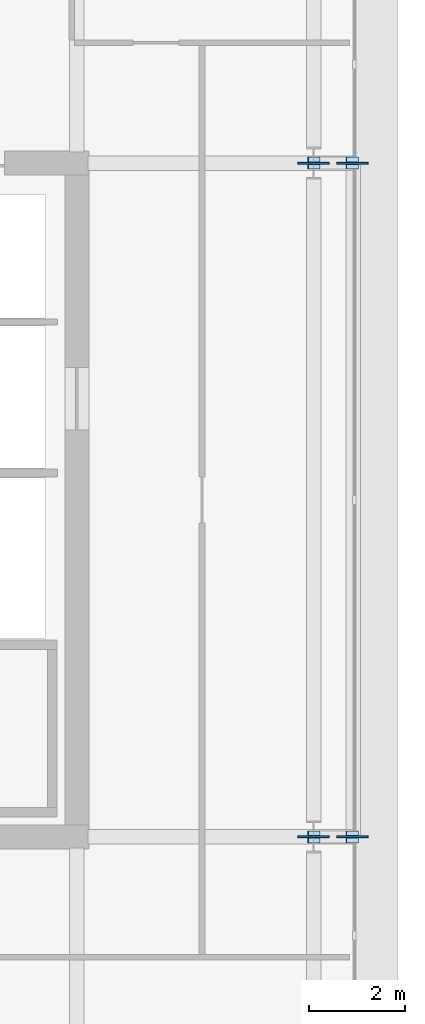
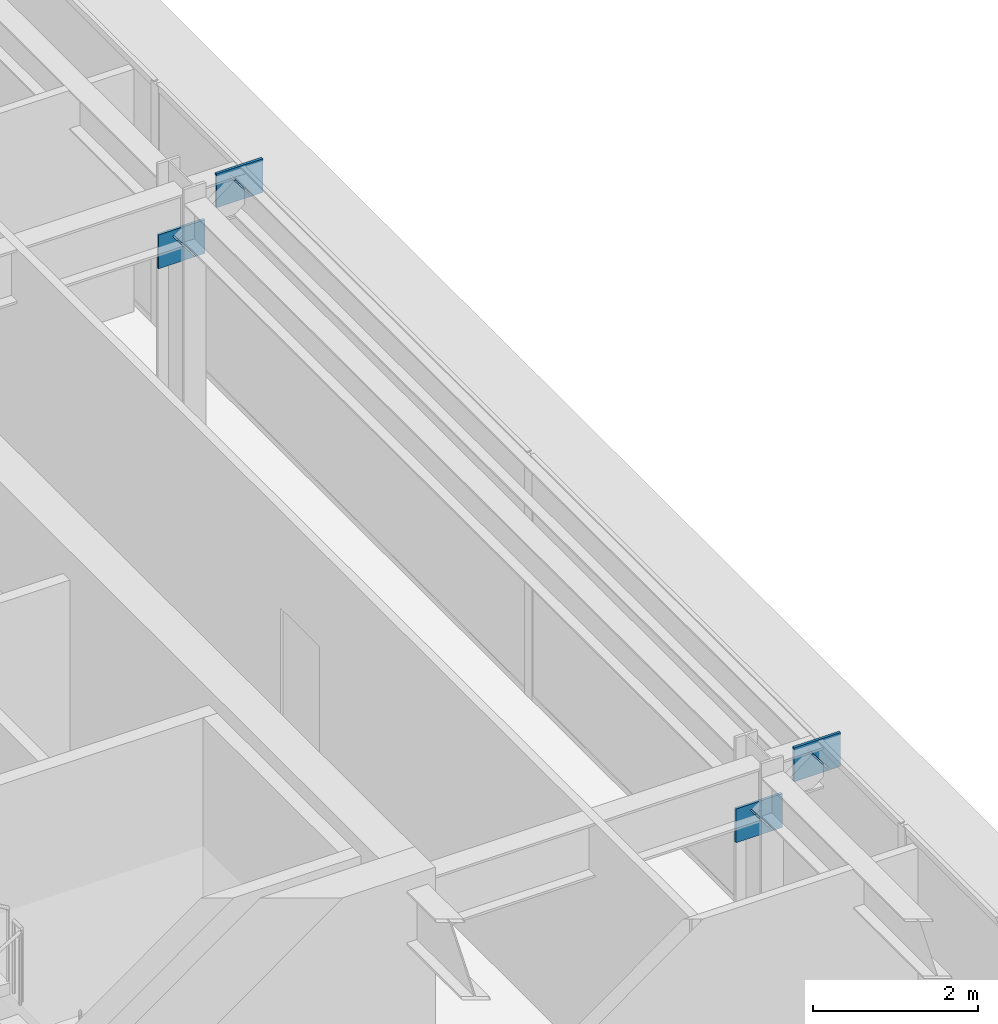
# One storey, part 11 of 19: 8 plates.
"""IFC4 building model written with IfcOpenShell, lengths in metres."""

import ifcopenshell
import ifcopenshell.guid

model = None  # the IFC model being written
_history = None  # IfcOwnerHistory: only IFC2X3 demands one
_inside = {}  # id of a spatial element -> (the spatial element, [elements in it])
_under = {}  # id of a project, library or spatial element -> (it, [spatial elements below it])
_declared = {}  # id of a project -> (the project, [libraries it declares])
_typed = {}  # id of a type object -> (the type object, [elements of that type])
_made_of = {}  # id of a material, layer set ... -> (it, [elements and type objects made of it])


def new_model(schema):
    """Start an empty IFC model of exactly this schema.

    Asked for "IFC4X3", IfcOpenShell would pick the latest addendum, in which some entities
    have other attributes; the version numbers below select the first issue.
    IFC2X3 requires an IfcOwnerHistory on every rooted entity: one is made here for all.
    """
    global model, _history
    if schema == "IFC4X3":
        model = ifcopenshell.file(schema_version=(4, 3, 0, 0))
    else:
        model = ifcopenshell.file(schema=schema)
    _inside.clear()
    _under.clear()
    _declared.clear()
    _typed.clear()
    _made_of.clear()
    _history = None
    if model.schema == "IFC2X3":
        org = make("IfcOrganization", Name="unknown")
        user = make(
            "IfcPersonAndOrganization",
            ThePerson=make("IfcPerson", FamilyName="unknown"),
            TheOrganization=org,
        )
        app = make(
            "IfcApplication",
            ApplicationDeveloper=org,
            Version="unknown",
            ApplicationFullName="unknown",
            ApplicationIdentifier="unknown",
        )
        _history = make(
            "IfcOwnerHistory",
            OwningUser=user,
            OwningApplication=app,
            ChangeAction="ADDED",
            CreationDate=0,
        )
    return model


def make(cls, **values):
    """One entity of the class cls with the attributes given. An attribute that is None is left unset."""
    return model.create_entity(
        cls, **{name: value for name, value in values.items() if value is not None}
    )


def rooted(cls, **values):
    """An entity with a GlobalId (a new one), such as an element, a storey or a relation."""
    return make(cls, GlobalId=ifcopenshell.guid.new(), OwnerHistory=_history, **values)


def si_unit(unit_type, name, prefix=None):
    """IfcSIUnit, for example si_unit("LENGTHUNIT", "METRE", prefix="MILLI")."""
    return make("IfcSIUnit", UnitType=unit_type, Prefix=prefix, Name=name)


def assignment(units):
    """IfcUnitAssignment: the units of a project."""
    return None if units is None else make("IfcUnitAssignment", Units=units)


def point(xyz):
    """IfcCartesianPoint."""
    return None if xyz is None else make("IfcCartesianPoint", Coordinates=xyz)


def direction(xyz):
    """IfcDirection."""
    return None if xyz is None else make("IfcDirection", DirectionRatios=xyz)


def frame(location, z_axis=None, x_axis=None):
    """IfcAxis2Placement3D, a coordinate frame: its origin and axes. An axis left out is left unset."""
    return make(
        "IfcAxis2Placement3D",
        Location=point(location),
        Axis=direction(z_axis),
        RefDirection=direction(x_axis),
    )


def frame_2d(location, x_axis=None):
    """IfcAxis2Placement2D, a coordinate frame in the plane: its origin and x axis."""
    return make(
        "IfcAxis2Placement2D", Location=point(location), RefDirection=direction(x_axis)
    )


def origin():
    """The frame at (0, 0, 0) with its axes left unset."""
    return frame((0.0, 0.0, 0.0))


def origin_2d():
    """The frame at (0, 0) in the plane with its x axis left unset."""
    return frame_2d((0.0, 0.0))


def place(relative_to, where):
    """IfcLocalPlacement: puts the frame where relative to a parent placement (None: the world)."""
    return make(
        "IfcLocalPlacement", PlacementRelTo=relative_to, RelativePlacement=where
    )


def context(
    kind, dimensions, precision=None, world=None, true_north=None, identifier=None
):
    """IfcGeometricRepresentationContext, for example the 3D "Model" context."""
    return make(
        "IfcGeometricRepresentationContext",
        ContextIdentifier=identifier,
        ContextType=kind,
        CoordinateSpaceDimension=dimensions,
        Precision=precision,
        WorldCoordinateSystem=world,
        TrueNorth=true_north,
    )


def subcontext(parent, identifier, kind, view, scale=None):
    """IfcGeometricRepresentationSubContext, for example "Body" below "Model"."""
    return make(
        "IfcGeometricRepresentationSubContext",
        ContextIdentifier=identifier,
        ContextType=kind,
        ParentContext=parent,
        TargetScale=scale,
        TargetView=view,
    )


def project(units=None, contexts=None):
    """IfcProject with its units and contexts."""
    return rooted(
        "IfcProject",
        Name="project",
        RepresentationContexts=contexts,
        UnitsInContext=assignment(units),
    )


def spatial(cls, under=None, at=None, **own):
    """A site, building, storey or space (cls), placed at a placement, below another one or the project."""
    s = rooted(cls, ObjectPlacement=at, **own)
    if under is not None:
        _under.setdefault(under.id(), (under, []))[1].append(s)
    return s


def profile(cls, at=None, kind="AREA", **sizes):
    """A parametric profile (cls). Its sizes go by their IFC names, for example OverallWidth=200.0."""
    return make(cls, ProfileType=kind, Position=at, **sizes)


def rectangle(**sizes):
    """IfcRectangleProfileDef."""
    return profile("IfcRectangleProfileDef", **sizes)


def extrude(swept, where, along, depth):
    """IfcExtrudedAreaSolid: the profile swept, set in the frame where, extruded along a direction by depth."""
    return make(
        "IfcExtrudedAreaSolid",
        SweptArea=swept,
        Position=where,
        ExtrudedDirection=direction(along),
        Depth=depth,
    )


def shape(context_of_items, identifier, shape_type, items):
    """IfcShapeRepresentation: the items that make up one representation, for example the "Body"."""
    return make(
        "IfcShapeRepresentation",
        ContextOfItems=context_of_items,
        RepresentationIdentifier=identifier,
        RepresentationType=shape_type,
        Items=items,
    )


def material(Name=None, Category=None):
    """IfcMaterial."""
    return make("IfcMaterial", Name=Name, Category=Category)


def layer(
    of_material, thickness, ventilated=None, Name=None, Category=None, Priority=None
):
    """IfcMaterialLayer: one layer of a wall or slab, of a material (None: an air gap)."""
    return make(
        "IfcMaterialLayer",
        Material=of_material,
        LayerThickness=thickness,
        IsVentilated=ventilated,
        Name=Name,
        Category=Category,
        Priority=Priority,
    )


def layer_set(layers, Name=None):
    """IfcMaterialLayerSet."""
    return make("IfcMaterialLayerSet", MaterialLayers=layers, LayerSetName=Name)


def made_of(thing, what):
    """Note that an element or type object is made of a material, layer set ...; save() writes the relation."""
    if what is not None:
        _made_of.setdefault(what.id(), (what, []))[1].append(thing)
    return thing


def type_object(cls, material=None, **own):
    """A type object (cls), such as IfcWallType, which elements share."""
    return made_of(rooted(cls, **own), material)


def element(
    cls,
    number,
    at=None,
    inside=None,
    cuts=None,
    type_object=None,
    material=None,
    context=None,
    identifier="Body",
    shape_type=None,
    held_by="IfcProductDefinitionShape",
    body=None,
    shapes=None,
    **own,
):
    """One element of the class cls, such as IfcWall. Its Tag is "e" and its number.

    at: its placement. inside: the storey or other place that contains it. cuts: it is an
    opening in that element (IfcRelVoidsElement). A single representation is given by context,
    identifier, shape_type and body (its items); several are given by shapes. held_by: the class
    of the entity that holds the representations. save() writes the other relations.
    """
    e = rooted(cls, Tag="e%d" % number, ObjectPlacement=at, **own)
    if body is not None:
        shapes = [shape(context, identifier, shape_type, body)]
    if shapes is not None:
        e.Representation = make(held_by, Representations=shapes)
    if inside is not None:
        _inside.setdefault(inside.id(), (inside, []))[1].append(e)
    if cuts is not None:
        rooted(
            "IfcRelVoidsElement", RelatingBuildingElement=cuts, RelatedOpeningElement=e
        )
    if type_object is not None:
        _typed.setdefault(type_object.id(), (type_object, []))[1].append(e)
    return made_of(e, material)


def aggregate(whole, parts):
    """IfcRelAggregates: a whole, such as a stair, and the parts it consists of."""
    return rooted("IfcRelAggregates", RelatingObject=whole, RelatedObjects=parts)


def save(model, path):
    """Write the relations noted so far, then the file.

    IfcRelAggregates (storeys below a building ...), IfcRelContainedInSpatialStructure (elements
    in a storey), IfcRelDefinesByType, IfcRelAssociatesMaterial and IfcRelDeclares: one each for
    every whole, place, type object, material and project.
    """
    for whole, parts in _under.values():
        aggregate(whole, parts)
    for where, things in _inside.values():
        rooted(
            "IfcRelContainedInSpatialStructure",
            RelatedElements=things,
            RelatingStructure=where,
        )
    for kind, things in _typed.values():
        rooted("IfcRelDefinesByType", RelatedObjects=things, RelatingType=kind)
    for what, things in _made_of.values():
        rooted("IfcRelAssociatesMaterial", RelatedObjects=things, RelatingMaterial=what)
    for by, libraries in _declared.values():
        rooted("IfcRelDeclares", RelatingContext=by, RelatedDefinitions=libraries)
    model.write(path)


model = new_model("IFC4")

# Units and contexts
model_context = context("Model", 3, precision=1e-05, world=origin(), true_north=direction((0.0, 1.0)))
body_context = subcontext(model_context, "Body", "Model", "MODEL_VIEW")
ifc_project = project(units=[si_unit("LENGTHUNIT", "METRE"), si_unit("AREAUNIT", "SQUARE_METRE"), si_unit("VOLUMEUNIT", "CUBIC_METRE"), si_unit("PLANEANGLEUNIT", "RADIAN"), si_unit("MASSUNIT", "GRAM", prefix="KILO")], contexts=[model_context])

# Site, building, storey
site_placement = place(None, origin())
site = spatial("IfcSite", under=ifc_project, at=site_placement, CompositionType="ELEMENT")
building_placement = place(site_placement, origin())
building = spatial("IfcBuilding", under=site, at=building_placement, Name="Putna Gate Headquarters", CompositionType="ELEMENT")
storey_placement = place(building_placement, frame((0.0, 0.0, 259.39990234375)))
storey = spatial("IfcBuildingStorey", under=building, at=storey_placement, Name="L65", CompositionType="ELEMENT", Elevation=259.39990234375)

# Plates
ifc_material_1 = material(Name="Steel S355J2", Category="steel")
ifc_layer_1 = layer(ifc_material_1, 0.02001953125)
ifc_layer_set_1 = layer_set([ifc_layer_1], Name="Steel S355J2")
plate_type_1 = type_object("IfcPlateType", Name="PLT-CAP-EC-R400", PredefinedType="SHEET", material=ifc_layer_set_1)
for number, where, z_axis, x_axis, name in (
    (1, (69.9150390625, 19.0, 2.75), (0.792623989105, 0.0, 0.60971076085), (0.0, 1.0, 0.0), "L65 East Sail Cantilever Raker Y19 End Cap Start"),
    (2, (70.713134765625, 19.0, 3.35595703125), (0.792623989105, 0.0, 0.60971076085), (0.0, 1.0, 0.0), "L65 East Sail Cantilever Raker Y19 End Cap End"),
    (3, (69.9150390625, 33.0, 2.75), (0.792623989105, 0.0, 0.60971076085), (0.0, 1.0, 0.0), "L65 East Sail Cantilever Raker Y33 End Cap Start"),
    (4, (70.713134765625, 33.0, 3.35595703125), (0.792623989105, 0.0, 0.60971076085), (0.0, 1.0, 0.0), "L65 East Sail Cantilever Raker Y33 End Cap End"),
):
    element("IfcPlate", number, at=place(storey_placement, frame(where, z_axis=z_axis, x_axis=x_axis)), inside=storey, type_object=plate_type_1, Name=name, PredefinedType="SHEET", context=body_context, shape_type="SweptSolid", body=[
        extrude(rectangle(XDim=0.25, YDim=0.39990234375, at=origin_2d()), origin(), (0.0, 0.0, 1.0), 0.02001953125),
    ])
ifc_material_2 = material(Name="Steel S460M", Category="steel")
ifc_layer_2 = layer(ifc_material_2, 0.0380859375)
ifc_layer_set_2 = layer_set([ifc_layer_2], Name="Steel S460M")
plate_type_2 = type_object("IfcPlateType", Name="PLT-NODE-TN1", PredefinedType="SHEET", material=ifc_layer_set_2)
for number, where, z_axis, x_axis, name in (
    (5, (69.9150390625, 19.0, 2.5), (0.0, 0.0, 1.0), (1.0, 0.0, 0.0), "L65 Sail Raker Node Plate TN1 Y19-1"),
    (6, (70.72900390625, 19.0, 3.1181640625), (0.0, 0.0, 1.0), (1.0, 0.0, 0.0), "L65 Sail Raker Node Plate TN1 Y19-2"),
    (7, (69.9150390625, 33.0, 2.5), (0.0, 0.0, 1.0), (1.0, 0.0, 0.0), "L65 Sail Raker Node Plate TN1 Y33-1"),
    (8, (70.72900390625, 33.0, 3.1181640625), (0.0, 0.0, 1.0), (1.0, 0.0, 0.0), "L65 Sail Raker Node Plate TN1 Y33-2"),
):
    element("IfcPlate", number, at=place(storey_placement, frame(where, z_axis=z_axis, x_axis=x_axis)), inside=storey, type_object=plate_type_2, Name=name, PredefinedType="SHEET", context=body_context, shape_type="SweptSolid", body=[
        extrude(rectangle(XDim=0.64990234375, YDim=0.0380859375, at=origin_2d()), origin(), (0.0, 0.0, 1.0), 0.5),
    ])

save(model, "model.ifc")
